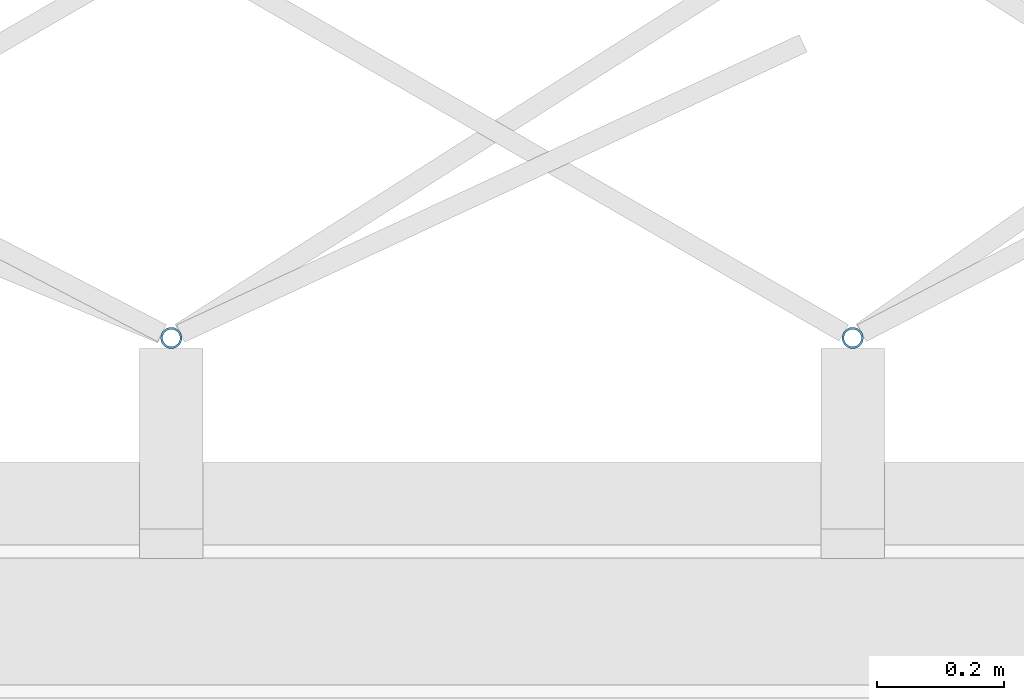
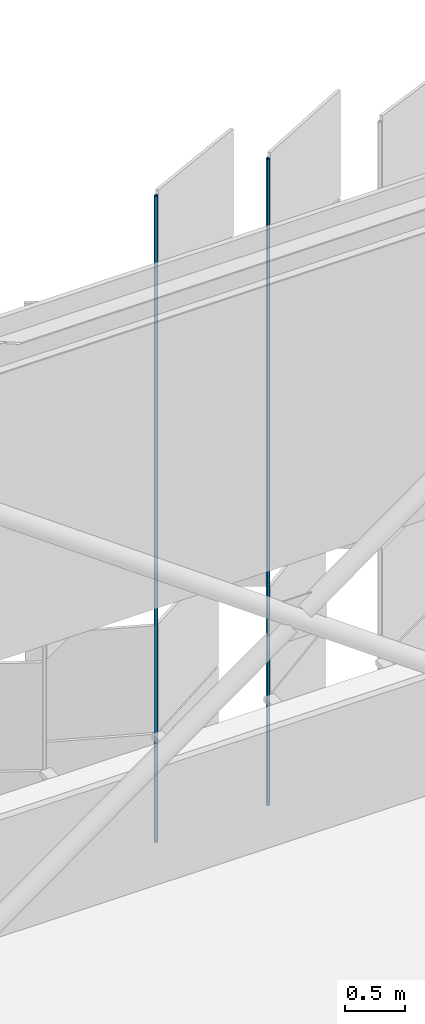
# One storey, part 351 of 483: 2 discrete accessories.
"""IFC4 building model written with IfcOpenShell, lengths in metres."""

import ifcopenshell
import ifcopenshell.guid

model = None  # the IFC model being written
_history = None  # IfcOwnerHistory: only IFC2X3 demands one
_inside = {}  # id of a spatial element -> (the spatial element, [elements in it])
_under = {}  # id of a project, library or spatial element -> (it, [spatial elements below it])
_declared = {}  # id of a project -> (the project, [libraries it declares])
_typed = {}  # id of a type object -> (the type object, [elements of that type])
_made_of = {}  # id of a material, layer set ... -> (it, [elements and type objects made of it])


def new_model(schema):
    """Start an empty IFC model of exactly this schema.

    Asked for "IFC4X3", IfcOpenShell would pick the latest addendum, in which some entities
    have other attributes; the version numbers below select the first issue.
    IFC2X3 requires an IfcOwnerHistory on every rooted entity: one is made here for all.
    """
    global model, _history
    if schema == "IFC4X3":
        model = ifcopenshell.file(schema_version=(4, 3, 0, 0))
    else:
        model = ifcopenshell.file(schema=schema)
    _inside.clear()
    _under.clear()
    _declared.clear()
    _typed.clear()
    _made_of.clear()
    _history = None
    if model.schema == "IFC2X3":
        org = make("IfcOrganization", Name="unknown")
        user = make(
            "IfcPersonAndOrganization",
            ThePerson=make("IfcPerson", FamilyName="unknown"),
            TheOrganization=org,
        )
        app = make(
            "IfcApplication",
            ApplicationDeveloper=org,
            Version="unknown",
            ApplicationFullName="unknown",
            ApplicationIdentifier="unknown",
        )
        _history = make(
            "IfcOwnerHistory",
            OwningUser=user,
            OwningApplication=app,
            ChangeAction="ADDED",
            CreationDate=0,
        )
    return model


def make(cls, **values):
    """One entity of the class cls with the attributes given. An attribute that is None is left unset."""
    return model.create_entity(
        cls, **{name: value for name, value in values.items() if value is not None}
    )


def rooted(cls, **values):
    """An entity with a GlobalId (a new one), such as an element, a storey or a relation."""
    return make(cls, GlobalId=ifcopenshell.guid.new(), OwnerHistory=_history, **values)


def si_unit(unit_type, name, prefix=None):
    """IfcSIUnit, for example si_unit("LENGTHUNIT", "METRE", prefix="MILLI")."""
    return make("IfcSIUnit", UnitType=unit_type, Prefix=prefix, Name=name)


def assignment(units):
    """IfcUnitAssignment: the units of a project."""
    return None if units is None else make("IfcUnitAssignment", Units=units)


def point(xyz):
    """IfcCartesianPoint."""
    return None if xyz is None else make("IfcCartesianPoint", Coordinates=xyz)


def direction(xyz):
    """IfcDirection."""
    return None if xyz is None else make("IfcDirection", DirectionRatios=xyz)


def frame(location, z_axis=None, x_axis=None):
    """IfcAxis2Placement3D, a coordinate frame: its origin and axes. An axis left out is left unset."""
    return make(
        "IfcAxis2Placement3D",
        Location=point(location),
        Axis=direction(z_axis),
        RefDirection=direction(x_axis),
    )


def frame_2d(location, x_axis=None):
    """IfcAxis2Placement2D, a coordinate frame in the plane: its origin and x axis."""
    return make(
        "IfcAxis2Placement2D", Location=point(location), RefDirection=direction(x_axis)
    )


def origin():
    """The frame at (0, 0, 0) with its axes left unset."""
    return frame((0.0, 0.0, 0.0))


def origin_2d():
    """The frame at (0, 0) in the plane with its x axis left unset."""
    return frame_2d((0.0, 0.0))


def place(relative_to, where):
    """IfcLocalPlacement: puts the frame where relative to a parent placement (None: the world)."""
    return make(
        "IfcLocalPlacement", PlacementRelTo=relative_to, RelativePlacement=where
    )


def context(
    kind, dimensions, precision=None, world=None, true_north=None, identifier=None
):
    """IfcGeometricRepresentationContext, for example the 3D "Model" context."""
    return make(
        "IfcGeometricRepresentationContext",
        ContextIdentifier=identifier,
        ContextType=kind,
        CoordinateSpaceDimension=dimensions,
        Precision=precision,
        WorldCoordinateSystem=world,
        TrueNorth=true_north,
    )


def subcontext(parent, identifier, kind, view, scale=None):
    """IfcGeometricRepresentationSubContext, for example "Body" below "Model"."""
    return make(
        "IfcGeometricRepresentationSubContext",
        ContextIdentifier=identifier,
        ContextType=kind,
        ParentContext=parent,
        TargetScale=scale,
        TargetView=view,
    )


def project(units=None, contexts=None):
    """IfcProject with its units and contexts."""
    return rooted(
        "IfcProject",
        Name="project",
        RepresentationContexts=contexts,
        UnitsInContext=assignment(units),
    )


def spatial(cls, under=None, at=None, **own):
    """A site, building, storey or space (cls), placed at a placement, below another one or the project."""
    s = rooted(cls, ObjectPlacement=at, **own)
    if under is not None:
        _under.setdefault(under.id(), (under, []))[1].append(s)
    return s


def profile(cls, at=None, kind="AREA", **sizes):
    """A parametric profile (cls). Its sizes go by their IFC names, for example OverallWidth=200.0."""
    return make(cls, ProfileType=kind, Position=at, **sizes)


def hollow_circle(**sizes):
    """IfcCircleHollowProfileDef."""
    return profile("IfcCircleHollowProfileDef", **sizes)


def extrude(swept, where, along, depth):
    """IfcExtrudedAreaSolid: the profile swept, set in the frame where, extruded along a direction by depth."""
    return make(
        "IfcExtrudedAreaSolid",
        SweptArea=swept,
        Position=where,
        ExtrudedDirection=direction(along),
        Depth=depth,
    )


def shape(context_of_items, identifier, shape_type, items):
    """IfcShapeRepresentation: the items that make up one representation, for example the "Body"."""
    return make(
        "IfcShapeRepresentation",
        ContextOfItems=context_of_items,
        RepresentationIdentifier=identifier,
        RepresentationType=shape_type,
        Items=items,
    )


def material(Name=None, Category=None):
    """IfcMaterial."""
    return make("IfcMaterial", Name=Name, Category=Category)


def material_profile(
    of_material, cross_section, Name=None, Category=None, Priority=None
):
    """IfcMaterialProfile: a cross section and its material."""
    return make(
        "IfcMaterialProfile",
        Name=Name,
        Material=of_material,
        Profile=cross_section,
        Priority=Priority,
        Category=Category,
    )


def profile_set(profiles, Name=None, composite=None):
    """IfcMaterialProfileSet."""
    return make(
        "IfcMaterialProfileSet",
        Name=Name,
        MaterialProfiles=profiles,
        CompositeProfile=composite,
    )


def made_of(thing, what):
    """Note that an element or type object is made of a material, layer set ...; save() writes the relation."""
    if what is not None:
        _made_of.setdefault(what.id(), (what, []))[1].append(thing)
    return thing


def type_object(cls, material=None, **own):
    """A type object (cls), such as IfcWallType, which elements share."""
    return made_of(rooted(cls, **own), material)


def element(
    cls,
    number,
    at=None,
    inside=None,
    cuts=None,
    type_object=None,
    material=None,
    context=None,
    identifier="Body",
    shape_type=None,
    held_by="IfcProductDefinitionShape",
    body=None,
    shapes=None,
    **own,
):
    """One element of the class cls, such as IfcWall. Its Tag is "e" and its number.

    at: its placement. inside: the storey or other place that contains it. cuts: it is an
    opening in that element (IfcRelVoidsElement). A single representation is given by context,
    identifier, shape_type and body (its items); several are given by shapes. held_by: the class
    of the entity that holds the representations. save() writes the other relations.
    """
    e = rooted(cls, Tag="e%d" % number, ObjectPlacement=at, **own)
    if body is not None:
        shapes = [shape(context, identifier, shape_type, body)]
    if shapes is not None:
        e.Representation = make(held_by, Representations=shapes)
    if inside is not None:
        _inside.setdefault(inside.id(), (inside, []))[1].append(e)
    if cuts is not None:
        rooted(
            "IfcRelVoidsElement", RelatingBuildingElement=cuts, RelatedOpeningElement=e
        )
    if type_object is not None:
        _typed.setdefault(type_object.id(), (type_object, []))[1].append(e)
    return made_of(e, material)


def aggregate(whole, parts):
    """IfcRelAggregates: a whole, such as a stair, and the parts it consists of."""
    return rooted("IfcRelAggregates", RelatingObject=whole, RelatedObjects=parts)


def save(model, path):
    """Write the relations noted so far, then the file.

    IfcRelAggregates (storeys below a building ...), IfcRelContainedInSpatialStructure (elements
    in a storey), IfcRelDefinesByType, IfcRelAssociatesMaterial and IfcRelDeclares: one each for
    every whole, place, type object, material and project.
    """
    for whole, parts in _under.values():
        aggregate(whole, parts)
    for where, things in _inside.values():
        rooted(
            "IfcRelContainedInSpatialStructure",
            RelatedElements=things,
            RelatingStructure=where,
        )
    for kind, things in _typed.values():
        rooted("IfcRelDefinesByType", RelatedObjects=things, RelatingType=kind)
    for what, things in _made_of.values():
        rooted("IfcRelAssociatesMaterial", RelatedObjects=things, RelatingMaterial=what)
    for by, libraries in _declared.values():
        rooted("IfcRelDeclares", RelatingContext=by, RelatedDefinitions=libraries)
    model.write(path)


model = new_model("IFC4")

# Units and contexts
model_context = context("Model", 3, precision=1e-05, world=origin(), true_north=direction((0.0, 1.0)))
body_context = subcontext(model_context, "Body", "Model", "MODEL_VIEW")
ifc_project = project(units=[si_unit("LENGTHUNIT", "METRE"), si_unit("AREAUNIT", "SQUARE_METRE"), si_unit("VOLUMEUNIT", "CUBIC_METRE"), si_unit("PLANEANGLEUNIT", "RADIAN"), si_unit("MASSUNIT", "GRAM", prefix="KILO")], contexts=[model_context])

# Site, building, storey
site_placement = place(None, origin())
site = spatial("IfcSite", under=ifc_project, at=site_placement, CompositionType="ELEMENT")
building_placement = place(site_placement, origin())
building = spatial("IfcBuilding", under=site, at=building_placement, Name="Parallax Yard Mobility Hub", CompositionType="ELEMENT")
storey_placement = place(building_placement, frame((0.0, 0.0, 13.199951171875)))
storey = spatial("IfcBuildingStorey", under=building, at=storey_placement, Name="L04", CompositionType="ELEMENT", Elevation=13.199951171875)

# Discrete accessories
ifc_material = material(Name="Steel ASTM A500 Gr C, hot-dip galvanised", Category="steel")
ifc_material_profile = material_profile(ifc_material, hollow_circle(Radius=0.016845703125, WallThickness=0.003173828125, at=origin_2d()), Name="CHS 33.7x3.2")
ifc_profile_set = profile_set([ifc_material_profile], Name="Steel ASTM A500 Gr C, hot-dip galvanised")
discrete_accessory_type = type_object("IfcDiscreteAccessoryType", Name="Hinge post CHS 33.7x3.2", PredefinedType="BRACKET", material=ifc_profile_set)
for number, where, z_axis, x_axis, name in (
    (1, (116.781005859375, 142.800048828125, 0.0), (0.0, 0.0, 1.0), (1.0, 0.0, 0.0), "Hinge post bay 58.4 level L04"),
    (2, (115.70947265625, 142.800048828125, 0.0), (0.0, 0.0, 1.0), (1.0, 0.0, 0.0), "Hinge post bay 58.5 level L04"),
):
    element("IfcDiscreteAccessory", number, at=place(storey_placement, frame(where, z_axis=z_axis, x_axis=x_axis)), inside=storey, type_object=discrete_accessory_type, Name=name, PredefinedType="BRACKET", context=body_context, shape_type="SweptSolid", body=[
        extrude(hollow_circle(Radius=0.016845703125, WallThickness=0.003173828125, at=origin_2d()), origin(), (0.0, 0.0, 1.0), 6.550048828125),
    ])

save(model, "model.ifc")
